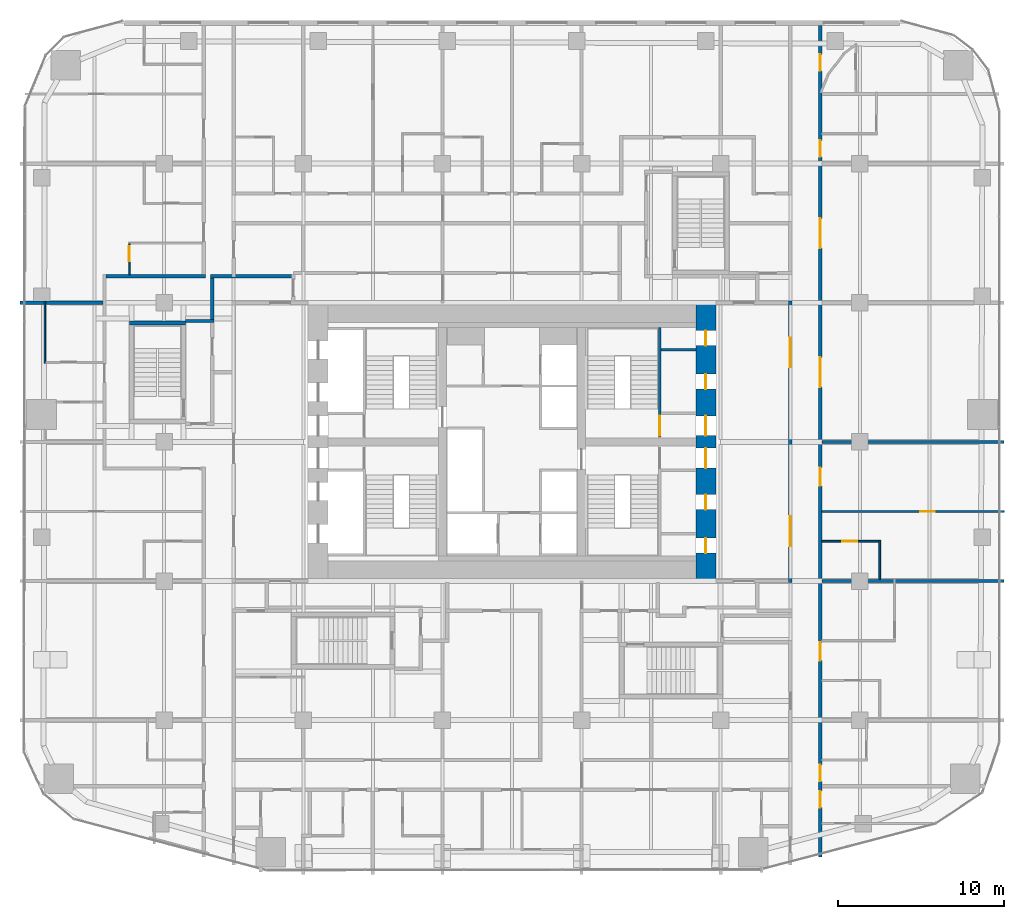
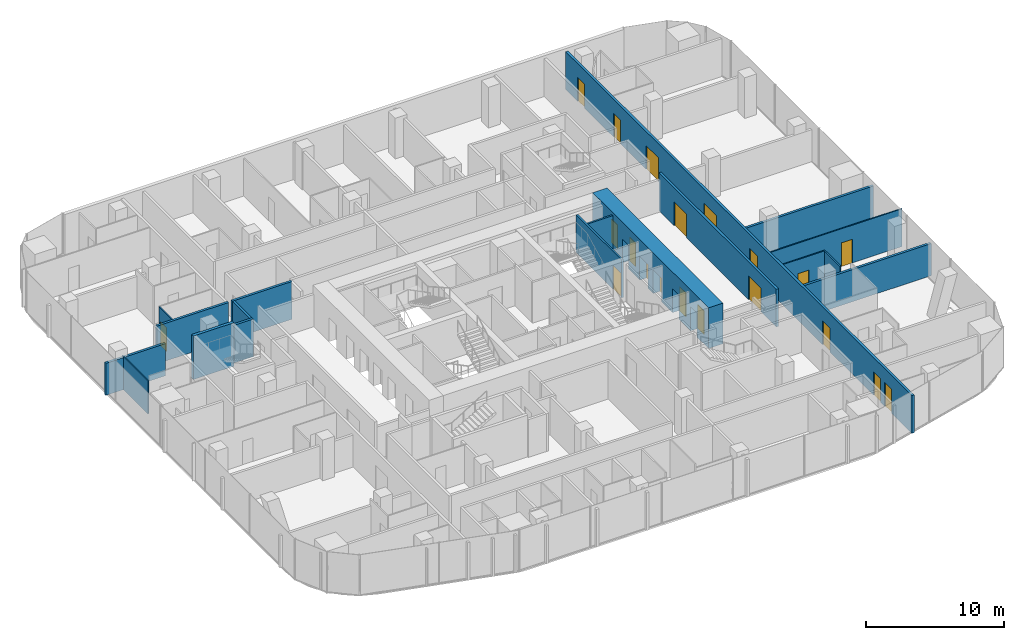
# One storey, part 21 of 27: 20 doors, 18 walls, 20 openings.
"""IFC4 building model written with IfcOpenShell, lengths in metres."""

from ifc_helpers import new_model, si_unit, direction, frame, frame_2d, origin, place, context, subcontext, project, spatial, rectangle, extrude, material, layer, layer_set, type_object, element, fill, save


model = new_model("IFC4")

# Units and contexts
model_context = context("Model", 3, precision=1e-05, world=origin(), true_north=direction((0.0, 1.0)))
body_context = subcontext(model_context, "Body", "Model", "MODEL_VIEW")
ifc_project = project(units=[si_unit("LENGTHUNIT", "METRE"), si_unit("AREAUNIT", "SQUARE_METRE"), si_unit("VOLUMEUNIT", "CUBIC_METRE"), si_unit("PLANEANGLEUNIT", "RADIAN"), si_unit("MASSUNIT", "GRAM", prefix="KILO")], contexts=[model_context])

# Site, building, storey
site_placement = place(None, origin())
site = spatial("IfcSite", under=ifc_project, at=site_placement, CompositionType="ELEMENT")
building_placement = place(site_placement, origin())
building = spatial("IfcBuilding", under=site, at=building_placement, Name="Marenta Gate Hotel Tower", CompositionType="ELEMENT")
storey_placement = place(building_placement, frame((0.0, 0.0, 36.5)))
storey = spatial("IfcBuildingStorey", under=building, at=storey_placement, Name="L06", CompositionType="ELEMENT", Elevation=36.5)

# Wall, openings, doors
ifc_material_1 = material(Name="Concrete blockwork", Category="masonry")
ifc_layer_1 = layer(ifc_material_1, 0.199951171875)
ifc_layer_set_1 = layer_set([ifc_layer_1], Name="Concrete blockwork")
wall_type_1 = type_object("IfcWallType", Name="Core boundary wall 200 REI 180", PredefinedType="PARTITIONING", material=ifc_layer_set_1)
wall_1_placement = place(storey_placement, frame((16.800048828125, -0.10009765625, 0.0), z_axis=(0.0, 0.0, 1.0), x_axis=(0.0, 1.0, 0.0)))
wall_1 = element("IfcWall", 1, at=wall_1_placement, inside=storey, type_object=wall_type_1, Name="L06-CP-BW-E", PredefinedType="PARTITIONING", context=body_context, shape_type="SweptSolid", body=[
    extrude(rectangle(XDim=17.0, YDim=0.199951171875, at=frame_2d((8.5, 0.0))), origin(), (0.0, 0.0, 1.0), 3.340087890625),
])
opening_1_placement = place(wall_1_placement, frame((2.199951171875, 0.0, 0.0)))
opening_1 = element("IfcOpeningElement", 2, at=opening_1_placement, cuts=wall_1, Name="Opening ED-Ea-B", PredefinedType="OPENING", context=body_context, shape_type="SweptSolid", body=[
    extrude(rectangle(XDim=1.800048828125, YDim=2.10009765625, at=frame_2d((0.89990234375, 1.050048828125))), frame((0.0, 0.10009765625, 0.0), z_axis=(0.0, -1.0, 0.0), x_axis=(1.0, 0.0, 0.0)), (0.0, 0.0, 1.0), 0.199951171875),
])
opening_2_placement = place(wall_1_placement, frame((13.0, 0.0, 0.0)))
opening_2 = element("IfcOpeningElement", 3, at=opening_2_placement, cuts=wall_1, Name="Opening ED-Eb-B", PredefinedType="OPENING", context=body_context, shape_type="SweptSolid", body=[
    extrude(rectangle(XDim=1.800048828125, YDim=2.10009765625, at=frame_2d((0.89990234375, 1.050048828125))), frame((0.0, 0.10009765625, 0.0), z_axis=(0.0, -1.0, 0.0), x_axis=(1.0, 0.0, 0.0)), (0.0, 0.0, 1.0), 0.199951171875),
])
ifc_material_2 = material(Name="Steel", Category="steel")
door_type_1 = type_object("IfcDoorType", Name="Core lobby entrance door 1800x2100 EI 60", OperationType="DOUBLE_DOOR_SINGLE_SWING", PredefinedType="DOOR", material=ifc_material_2)
door_1_placement = place(opening_1_placement, origin())
door_1 = element("IfcDoor", 4, at=door_1_placement, inside=storey, type_object=door_type_1, Name="ED-Ea-B", OperationType="DOUBLE_DOOR_SINGLE_SWING", OverallHeight=2.10009765625, OverallWidth=1.800048828125, PredefinedType="DOOR", context=body_context, shape_type="SweptSolid", body=[
    extrude(rectangle(XDim=1.800048828125, YDim=2.10009765625, at=frame_2d((0.89990234375, 1.050048828125))), frame((0.0, 0.02490234375, 0.0), z_axis=(0.0, -1.0, 0.0), x_axis=(1.0, 0.0, 0.0)), (0.0, 0.0, 1.0), 0.050048828125),
])
fill(opening_1, door_1)
door_2_placement = place(opening_2_placement, origin())
door_2 = element("IfcDoor", 5, at=door_2_placement, inside=storey, type_object=door_type_1, Name="ED-Eb-B", OperationType="DOUBLE_DOOR_SINGLE_SWING", OverallHeight=2.10009765625, OverallWidth=1.800048828125, PredefinedType="DOOR", context=body_context, shape_type="SweptSolid", body=[
    extrude(rectangle(XDim=1.800048828125, YDim=2.10009765625, at=frame_2d((0.89990234375, 1.050048828125))), frame((0.0, 0.02490234375, 0.0), z_axis=(0.0, -1.0, 0.0), x_axis=(1.0, 0.0, 0.0)), (0.0, 0.0, 1.0), 0.050048828125),
])
fill(opening_2, door_2)

# Wall
ifc_material_3 = material(Name="Concrete blockwork", Category="masonry")
ifc_layer_2 = layer(ifc_material_3, 0.14990234375)
ifc_layer_set_2 = layer_set([ifc_layer_2], Name="Concrete blockwork")
wall_type_2 = type_object("IfcWallType", Name="Core room partition 150 REI 180", PredefinedType="PARTITIONING", material=ifc_layer_set_2)
wall_2_placement = place(storey_placement, frame((9.0, 13.949951171875, 0.0), z_axis=(0.0, 0.0, 1.0), x_axis=(1.0, 0.0, 0.0)))
element("IfcWall", 6, at=wall_2_placement, inside=storey, type_object=wall_type_2, Name="L06-CP-RW-EN-1", PredefinedType="PARTITIONING", context=body_context, shape_type="SweptSolid", body=[
    extrude(rectangle(XDim=2.10009765625, YDim=0.14990234375, at=frame_2d((1.050048828125, 0.0))), origin(), (0.0, 0.0, 1.0), 3.340087890625),
])

# Wall, opening, door
ifc_material_4 = material(Name="Concrete C40", Category="concrete")
ifc_layer_3 = layer(ifc_material_4, 0.14990234375)
ifc_layer_set_3 = layer_set([ifc_layer_3], Name="Concrete C40")
wall_type_3 = type_object("IfcWallType", Name="Core stair enclosure wall 150 REI 180", PredefinedType="SHEAR", material=ifc_layer_set_3)
wall_3_placement = place(storey_placement, frame((8.925048828125, 8.699951171875, 0.0), z_axis=(0.0, 0.0, 1.0), x_axis=(0.0, 1.0, 0.0)))
wall_3 = element("IfcWall", 7, at=wall_3_placement, inside=storey, type_object=wall_type_3, Name="L06-SHF-SW-EN-3", PredefinedType="SHEAR", context=body_context, shape_type="SweptSolid", body=[
    extrude(rectangle(XDim=6.60009765625, YDim=0.14990234375, at=frame_2d((3.300048828125, 0.0))), origin(), (0.0, 0.0, 1.0), 3.340087890625),
])
opening_3_placement = place(wall_3_placement, frame((0.074951171875, 0.0, 0.0)))
opening_3 = element("IfcOpeningElement", 8, at=opening_3_placement, cuts=wall_3, Name="Opening SD-EN", PredefinedType="OPENING", context=body_context, shape_type="SweptSolid", body=[
    extrude(rectangle(XDim=1.199951171875, YDim=2.10009765625, at=frame_2d((0.60009765625, 1.050048828125))), frame((0.0, 0.074951171875, 0.0), z_axis=(0.0, -1.0, 0.0), x_axis=(1.0, 0.0, 0.0)), (0.0, 0.0, 1.0), 0.14990234375),
])
ifc_material_5 = material(Name="Steel", Category="steel")
door_type_2 = type_object("IfcDoorType", Name="Core stair door 1200x2100 FD60", OperationType="SINGLE_SWING_LEFT", PredefinedType="DOOR", material=ifc_material_5)
door_3_placement = place(opening_3_placement, origin())
door_3 = element("IfcDoor", 9, at=door_3_placement, inside=storey, type_object=door_type_2, Name="SD-EN", OperationType="SINGLE_SWING_LEFT", OverallHeight=2.10009765625, OverallWidth=1.199951171875, PredefinedType="DOOR", context=body_context, shape_type="SweptSolid", body=[
    extrude(rectangle(XDim=1.199951171875, YDim=2.10009765625, at=frame_2d((0.60009765625, 1.050048828125))), frame((0.0, 0.02490234375, 0.0), z_axis=(0.0, -1.0, 0.0), x_axis=(1.0, 0.0, 0.0)), (0.0, 0.0, 1.0), 0.050048828125),
])
fill(opening_3, door_3)

# Wall, openings, doors
ifc_material_6 = material(Name="Concrete C80", Category="concrete")
ifc_layer_4 = layer(ifc_material_6, 1.199951171875)
ifc_layer_set_4 = layer_set([ifc_layer_4], Name="Concrete C80")
wall_type_4 = type_object("IfcWallType", Name="Core wall 1200 C80", PredefinedType="SHEAR", material=ifc_layer_set_4)
wall_4_placement = place(storey_placement, frame((11.699951171875, 0.0, 0.0), z_axis=(0.0, 0.0, 1.0), x_axis=(0.0, 1.0, 0.0)))
wall_4 = element("IfcWall", 10, at=wall_4_placement, inside=storey, type_object=wall_type_4, Name="L06-CORE-E", PredefinedType="SHEAR", context=body_context, shape_type="SweptSolid", body=[
    extrude(rectangle(XDim=16.800048828125, YDim=1.199951171875, at=frame_2d((8.39990234375, 0.0))), origin(), (0.0, 0.0, 1.0), 3.60009765625),
])
opening_4_placement = place(wall_4_placement, frame((1.6875, 0.0, 0.0)))
opening_4 = element("IfcOpeningElement", 11, at=opening_4_placement, cuts=wall_4, Name="Opening RD-ES-1", PredefinedType="OPENING", context=body_context, shape_type="SweptSolid", body=[
    extrude(rectangle(XDim=0.89990234375, YDim=2.10009765625, at=frame_2d((0.449951171875, 1.050048828125))), frame((0.0, 0.60009765625, 0.0), z_axis=(0.0, -1.0, 0.0), x_axis=(1.0, 0.0, 0.0)), (0.0, 0.0, 1.0), 1.199951171875),
])
opening_5_placement = place(wall_4_placement, frame((4.3125, 0.0, 0.0)))
opening_5 = element("IfcOpeningElement", 12, at=opening_5_placement, cuts=wall_4, Name="Opening RD-ES-2", PredefinedType="OPENING", context=body_context, shape_type="SweptSolid", body=[
    extrude(rectangle(XDim=0.89990234375, YDim=2.10009765625, at=frame_2d((0.449951171875, 1.050048828125))), frame((0.0, 0.60009765625, 0.0), z_axis=(0.0, -1.0, 0.0), x_axis=(1.0, 0.0, 0.0)), (0.0, 0.0, 1.0), 1.199951171875),
])
opening_6_placement = place(wall_4_placement, frame((6.824951171875, 0.0, 0.0)))
opening_6 = element("IfcOpeningElement", 13, at=opening_6_placement, cuts=wall_4, Name="Opening PD-ES", PredefinedType="OPENING", context=body_context, shape_type="SweptSolid", body=[
    extrude(rectangle(XDim=1.199951171875, YDim=2.10009765625, at=frame_2d((0.60009765625, 1.050048828125))), frame((0.0, 0.60009765625, 0.0), z_axis=(0.0, -1.0, 0.0), x_axis=(1.0, 0.0, 0.0)), (0.0, 0.0, 1.0), 1.199951171875),
])
opening_7_placement = place(wall_4_placement, frame((14.21240234375, 0.0, 0.0)))
opening_7 = element("IfcOpeningElement", 14, at=opening_7_placement, cuts=wall_4, Name="Opening RD-EN-1", PredefinedType="OPENING", context=body_context, shape_type="SweptSolid", body=[
    extrude(rectangle(XDim=0.89990234375, YDim=2.10009765625, at=frame_2d((0.449951171875, 1.050048828125))), frame((0.0, 0.60009765625, 0.0), z_axis=(0.0, -1.0, 0.0), x_axis=(1.0, 0.0, 0.0)), (0.0, 0.0, 1.0), 1.199951171875),
])
opening_8_placement = place(wall_4_placement, frame((11.58740234375, 0.0, 0.0)))
opening_8 = element("IfcOpeningElement", 15, at=opening_8_placement, cuts=wall_4, Name="Opening RD-EN-2", PredefinedType="OPENING", context=body_context, shape_type="SweptSolid", body=[
    extrude(rectangle(XDim=0.89990234375, YDim=2.10009765625, at=frame_2d((0.449951171875, 1.050048828125))), frame((0.0, 0.60009765625, 0.0), z_axis=(0.0, -1.0, 0.0), x_axis=(1.0, 0.0, 0.0)), (0.0, 0.0, 1.0), 1.199951171875),
])
opening_9_placement = place(wall_4_placement, frame((8.77490234375, 0.0, 0.0)))
opening_9 = element("IfcOpeningElement", 16, at=opening_9_placement, cuts=wall_4, Name="Opening PD-EN", PredefinedType="OPENING", context=body_context, shape_type="SweptSolid", body=[
    extrude(rectangle(XDim=1.199951171875, YDim=2.10009765625, at=frame_2d((0.60009765625, 1.050048828125))), frame((0.0, 0.60009765625, 0.0), z_axis=(0.0, -1.0, 0.0), x_axis=(1.0, 0.0, 0.0)), (0.0, 0.0, 1.0), 1.199951171875),
])
ifc_material_7 = material(Name="Steel", Category="steel")
door_type_3 = type_object("IfcDoorType", Name="Core lobby door 1200x2100 FD60", OperationType="SINGLE_SWING_LEFT", PredefinedType="DOOR", material=ifc_material_7)
door_4_placement = place(opening_6_placement, origin())
door_4 = element("IfcDoor", 17, at=door_4_placement, inside=storey, type_object=door_type_3, Name="PD-ES", OperationType="SINGLE_SWING_LEFT", OverallHeight=2.10009765625, OverallWidth=1.199951171875, PredefinedType="DOOR", context=body_context, shape_type="SweptSolid", body=[
    extrude(rectangle(XDim=1.199951171875, YDim=2.10009765625, at=frame_2d((0.60009765625, 1.050048828125))), frame((0.0, 0.02490234375, 0.0), z_axis=(0.0, -1.0, 0.0), x_axis=(1.0, 0.0, 0.0)), (0.0, 0.0, 1.0), 0.050048828125),
])
fill(opening_6, door_4)
door_5_placement = place(opening_9_placement, origin())
door_5 = element("IfcDoor", 18, at=door_5_placement, inside=storey, type_object=door_type_3, Name="PD-EN", OperationType="SINGLE_SWING_LEFT", OverallHeight=2.10009765625, OverallWidth=1.199951171875, PredefinedType="DOOR", context=body_context, shape_type="SweptSolid", body=[
    extrude(rectangle(XDim=1.199951171875, YDim=2.10009765625, at=frame_2d((0.60009765625, 1.050048828125))), frame((0.0, 0.02490234375, 0.0), z_axis=(0.0, -1.0, 0.0), x_axis=(1.0, 0.0, 0.0)), (0.0, 0.0, 1.0), 0.050048828125),
])
fill(opening_9, door_5)
ifc_material_8 = material(Name="Steel", Category="steel")
door_type_4 = type_object("IfcDoorType", Name="Core service room door 900x2100 FD30S", OperationType="SINGLE_SWING_LEFT", PredefinedType="DOOR", material=ifc_material_8)
door_6_placement = place(opening_4_placement, origin())
door_6 = element("IfcDoor", 19, at=door_6_placement, inside=storey, type_object=door_type_4, Name="RD-ES-1", OperationType="SINGLE_SWING_LEFT", OverallHeight=2.10009765625, OverallWidth=0.89990234375, PredefinedType="DOOR", context=body_context, shape_type="SweptSolid", body=[
    extrude(rectangle(XDim=0.89990234375, YDim=2.10009765625, at=frame_2d((0.449951171875, 1.050048828125))), frame((0.0, 0.02490234375, 0.0), z_axis=(0.0, -1.0, 0.0), x_axis=(1.0, 0.0, 0.0)), (0.0, 0.0, 1.0), 0.050048828125),
])
fill(opening_4, door_6)
door_7_placement = place(opening_5_placement, origin())
door_7 = element("IfcDoor", 20, at=door_7_placement, inside=storey, type_object=door_type_4, Name="RD-ES-2", OperationType="SINGLE_SWING_LEFT", OverallHeight=2.10009765625, OverallWidth=0.89990234375, PredefinedType="DOOR", context=body_context, shape_type="SweptSolid", body=[
    extrude(rectangle(XDim=0.89990234375, YDim=2.10009765625, at=frame_2d((0.449951171875, 1.050048828125))), frame((0.0, 0.02490234375, 0.0), z_axis=(0.0, -1.0, 0.0), x_axis=(1.0, 0.0, 0.0)), (0.0, 0.0, 1.0), 0.050048828125),
])
fill(opening_5, door_7)
door_8_placement = place(opening_7_placement, origin())
door_8 = element("IfcDoor", 21, at=door_8_placement, inside=storey, type_object=door_type_4, Name="RD-EN-1", OperationType="SINGLE_SWING_LEFT", OverallHeight=2.10009765625, OverallWidth=0.89990234375, PredefinedType="DOOR", context=body_context, shape_type="SweptSolid", body=[
    extrude(rectangle(XDim=0.89990234375, YDim=2.10009765625, at=frame_2d((0.449951171875, 1.050048828125))), frame((0.0, 0.02490234375, 0.0), z_axis=(0.0, -1.0, 0.0), x_axis=(1.0, 0.0, 0.0)), (0.0, 0.0, 1.0), 0.050048828125),
])
fill(opening_7, door_8)
door_9_placement = place(opening_8_placement, origin())
door_9 = element("IfcDoor", 22, at=door_9_placement, inside=storey, type_object=door_type_4, Name="RD-EN-2", OperationType="SINGLE_SWING_LEFT", OverallHeight=2.10009765625, OverallWidth=0.89990234375, PredefinedType="DOOR", context=body_context, shape_type="SweptSolid", body=[
    extrude(rectangle(XDim=0.89990234375, YDim=2.10009765625, at=frame_2d((0.449951171875, 1.050048828125))), frame((0.0, 0.02490234375, 0.0), z_axis=(0.0, -1.0, 0.0), x_axis=(1.0, 0.0, 0.0)), (0.0, 0.0, 1.0), 0.050048828125),
])
fill(opening_8, door_9)

# Wall
ifc_material_9 = material(Name="Concrete C40", Category="concrete")
ifc_layer_5 = layer(ifc_material_9, 0.25)
ifc_layer_set_5 = layer_set([ifc_layer_5], Name="Concrete C40")
wall_type_5 = type_object("IfcWallType", Name="Remote stair enclosure wall 250 REI 180", PredefinedType="SHEAR", material=ifc_layer_set_5)
wall_5_placement = place(storey_placement, frame((-23.10009765625, 15.574951171875, -0.14990234375), z_axis=(0.0, 0.0, 1.0), x_axis=(1.0, 0.0, 0.0)))
element("IfcWall", 23, at=wall_5_placement, inside=storey, type_object=wall_type_5, Name="L06-RS-Z1-3-W2", PredefinedType="SHEAR", context=body_context, shape_type="SweptSolid", body=[
    extrude(rectangle(XDim=3.400146484375, YDim=0.25, at=frame_2d((1.7001953125, 0.0))), origin(), (0.0, 0.0, 1.0), 3.849853515625),
])

# Wall, openings, doors
ifc_material_10 = material(Name="Gypsum board on steel stud", Category="steel")
ifc_layer_6 = layer(ifc_material_10, 0.199951171875)
ifc_layer_set_6 = layer_set([ifc_layer_6], Name="Gypsum board on steel stud")
wall_type_6 = type_object("IfcWallType", Name="Room corridor wall 200 EI 60", PredefinedType="PARTITIONING", material=ifc_layer_set_6)
wall_6_placement = place(storey_placement, frame((18.60009765625, -16.6650390625, 0.0), z_axis=(0.0, 0.0, 1.0), x_axis=(0.0, 1.0, 0.0)))
wall_6 = element("IfcWall", 24, at=wall_6_placement, inside=storey, type_object=wall_type_6, Name="L06-PTN-W008", PredefinedType="PARTITIONING", context=body_context, shape_type="SweptSolid", body=[
    extrude(rectangle(XDim=50.205078125, YDim=0.199951171875, at=frame_2d((25.1025390625, 0.0))), origin(), (0.0, 0.0, 1.0), 3.340087890625),
])
opening_10_placement = place(wall_6_placement, frame((2.990966796875, 0.0, 0.0)))
opening_10 = element("IfcOpeningElement", 25, at=opening_10_placement, cuts=wall_6, Name="Opening G01-09", PredefinedType="OPENING", context=body_context, shape_type="SweptSolid", body=[
    extrude(rectangle(XDim=1.0, YDim=2.10009765625, at=frame_2d((0.5, 1.050048828125))), frame((0.0, 0.10009765625, 0.0), z_axis=(0.0, -1.0, 0.0), x_axis=(1.0, 0.0, 0.0)), (0.0, 0.0, 1.0), 0.199951171875),
])
opening_11_placement = place(wall_6_placement, frame((4.573974609375, 0.0, 0.0)))
opening_11 = element("IfcOpeningElement", 26, at=opening_11_placement, cuts=wall_6, Name="Opening G01-11", PredefinedType="OPENING", context=body_context, shape_type="SweptSolid", body=[
    extrude(rectangle(XDim=1.0, YDim=2.10009765625, at=frame_2d((0.5, 1.050048828125))), frame((0.0, 0.10009765625, 0.0), z_axis=(0.0, -1.0, 0.0), x_axis=(1.0, 0.0, 0.0)), (0.0, 0.0, 1.0), 0.199951171875),
])
opening_12_placement = place(wall_6_placement, frame((11.864990234375, 0.0, 0.0)))
opening_12 = element("IfcOpeningElement", 27, at=opening_12_placement, cuts=wall_6, Name="Opening G01-13", PredefinedType="OPENING", context=body_context, shape_type="SweptSolid", body=[
    extrude(rectangle(XDim=1.10009765625, YDim=2.10009765625, at=frame_2d((0.550048828125, 1.050048828125))), frame((0.0, 0.10009765625, 0.0), z_axis=(0.0, -1.0, 0.0), x_axis=(1.0, 0.0, 0.0)), (0.0, 0.0, 1.0), 0.199951171875),
])
opening_13_placement = place(wall_6_placement, frame((22.4150390625, 0.0, 0.0)))
opening_13 = element("IfcOpeningElement", 28, at=opening_13_placement, cuts=wall_6, Name="Opening G01-16", PredefinedType="OPENING", context=body_context, shape_type="SweptSolid", body=[
    extrude(rectangle(XDim=1.10009765625, YDim=2.10009765625, at=frame_2d((0.550048828125, 1.050048828125))), frame((0.0, 0.10009765625, 0.0), z_axis=(0.0, -1.0, 0.0), x_axis=(1.0, 0.0, 0.0)), (0.0, 0.0, 1.0), 0.199951171875),
])
opening_14_placement = place(wall_6_placement, frame((28.364990234375, 0.0, 0.0)))
opening_14 = element("IfcOpeningElement", 29, at=opening_14_placement, cuts=wall_6, Name="Opening G01-19", PredefinedType="OPENING", context=body_context, shape_type="SweptSolid", body=[
    extrude(rectangle(XDim=1.800048828125, YDim=2.10009765625, at=frame_2d((0.89990234375, 1.050048828125))), frame((0.0, 0.10009765625, 0.0), z_axis=(0.0, -1.0, 0.0), x_axis=(1.0, 0.0, 0.0)), (0.0, 0.0, 1.0), 0.199951171875),
])
opening_15_placement = place(wall_6_placement, frame((36.764892578125, 0.0, 0.0)))
opening_15 = element("IfcOpeningElement", 30, at=opening_15_placement, cuts=wall_6, Name="Opening G01-20", PredefinedType="OPENING", context=body_context, shape_type="SweptSolid", body=[
    extrude(rectangle(XDim=1.800048828125, YDim=2.10009765625, at=frame_2d((0.89990234375, 1.050048828125))), frame((0.0, 0.10009765625, 0.0), z_axis=(0.0, -1.0, 0.0), x_axis=(1.0, 0.0, 0.0)), (0.0, 0.0, 1.0), 0.199951171875),
])
opening_16_placement = place(wall_6_placement, frame((42.264892578125, 0.0, 0.0)))
opening_16 = element("IfcOpeningElement", 31, at=opening_16_placement, cuts=wall_6, Name="Opening G01-21", PredefinedType="OPENING", context=body_context, shape_type="SweptSolid", body=[
    extrude(rectangle(XDim=1.0, YDim=2.10009765625, at=frame_2d((0.5, 1.050048828125))), frame((0.0, 0.10009765625, 0.0), z_axis=(0.0, -1.0, 0.0), x_axis=(1.0, 0.0, 0.0)), (0.0, 0.0, 1.0), 0.199951171875),
])
opening_17_placement = place(wall_6_placement, frame((47.465087890625, 0.0, 0.0)))
opening_17 = element("IfcOpeningElement", 32, at=opening_17_placement, cuts=wall_6, Name="Opening G01-23", PredefinedType="OPENING", context=body_context, shape_type="SweptSolid", body=[
    extrude(rectangle(XDim=1.0, YDim=2.10009765625, at=frame_2d((0.5, 1.050048828125))), frame((0.0, 0.10009765625, 0.0), z_axis=(0.0, -1.0, 0.0), x_axis=(1.0, 0.0, 0.0)), (0.0, 0.0, 1.0), 0.199951171875),
])
ifc_material_11 = material(Name="Timber door leaf", Category="wood")
door_type_5 = type_object("IfcDoorType", Name="Guest room door 1000x2100 EI 30", OperationType="NOTDEFINED", PredefinedType="DOOR", material=ifc_material_11)
door_10_placement = place(opening_10_placement, origin())
door_10 = element("IfcDoor", 33, at=door_10_placement, inside=storey, type_object=door_type_5, Name="L06-PD-D009", OperationType="SINGLE_SWING_LEFT", OverallHeight=2.10009765625, OverallWidth=1.0, PredefinedType="DOOR", context=body_context, shape_type="SweptSolid", body=[
    extrude(rectangle(XDim=1.0, YDim=2.10009765625, at=frame_2d((0.5, 1.050048828125))), frame((0.0, 0.02490234375, 0.0), z_axis=(0.0, -1.0, 0.0), x_axis=(1.0, 0.0, 0.0)), (0.0, 0.0, 1.0), 0.050048828125),
])
fill(opening_10, door_10)
door_11_placement = place(opening_11_placement, origin())
door_11 = element("IfcDoor", 34, at=door_11_placement, inside=storey, type_object=door_type_5, Name="L06-PD-D011", OperationType="SINGLE_SWING_LEFT", OverallHeight=2.10009765625, OverallWidth=1.0, PredefinedType="DOOR", context=body_context, shape_type="SweptSolid", body=[
    extrude(rectangle(XDim=1.0, YDim=2.10009765625, at=frame_2d((0.5, 1.050048828125))), frame((0.0, 0.02490234375, 0.0), z_axis=(0.0, -1.0, 0.0), x_axis=(1.0, 0.0, 0.0)), (0.0, 0.0, 1.0), 0.050048828125),
])
fill(opening_11, door_11)
door_12_placement = place(opening_16_placement, origin())
door_12 = element("IfcDoor", 35, at=door_12_placement, inside=storey, type_object=door_type_5, Name="L06-PD-D021", OperationType="SINGLE_SWING_LEFT", OverallHeight=2.10009765625, OverallWidth=1.0, PredefinedType="DOOR", context=body_context, shape_type="SweptSolid", body=[
    extrude(rectangle(XDim=1.0, YDim=2.10009765625, at=frame_2d((0.5, 1.050048828125))), frame((0.0, 0.02490234375, 0.0), z_axis=(0.0, -1.0, 0.0), x_axis=(1.0, 0.0, 0.0)), (0.0, 0.0, 1.0), 0.050048828125),
])
fill(opening_16, door_12)
door_13_placement = place(opening_17_placement, origin())
door_13 = element("IfcDoor", 36, at=door_13_placement, inside=storey, type_object=door_type_5, Name="L06-PD-D023", OperationType="SINGLE_SWING_LEFT", OverallHeight=2.10009765625, OverallWidth=1.0, PredefinedType="DOOR", context=body_context, shape_type="SweptSolid", body=[
    extrude(rectangle(XDim=1.0, YDim=2.10009765625, at=frame_2d((0.5, 1.050048828125))), frame((0.0, 0.02490234375, 0.0), z_axis=(0.0, -1.0, 0.0), x_axis=(1.0, 0.0, 0.0)), (0.0, 0.0, 1.0), 0.050048828125),
])
fill(opening_17, door_13)
ifc_material_12 = material(Name="Timber door leaf", Category="wood")
door_type_6 = type_object("IfcDoorType", Name="Guest room door 1100x2100 EI 30", OperationType="NOTDEFINED", PredefinedType="DOOR", material=ifc_material_12)
door_14_placement = place(opening_12_placement, origin())
door_14 = element("IfcDoor", 37, at=door_14_placement, inside=storey, type_object=door_type_6, Name="L06-PD-D013", OperationType="SINGLE_SWING_LEFT", OverallHeight=2.10009765625, OverallWidth=1.10009765625, PredefinedType="DOOR", context=body_context, shape_type="SweptSolid", body=[
    extrude(rectangle(XDim=1.10009765625, YDim=2.10009765625, at=frame_2d((0.550048828125, 1.050048828125))), frame((0.0, 0.02490234375, 0.0), z_axis=(0.0, -1.0, 0.0), x_axis=(1.0, 0.0, 0.0)), (0.0, 0.0, 1.0), 0.050048828125),
])
fill(opening_12, door_14)
door_15_placement = place(opening_13_placement, origin())
door_15 = element("IfcDoor", 38, at=door_15_placement, inside=storey, type_object=door_type_6, Name="L06-PD-D016", OperationType="SINGLE_SWING_RIGHT", OverallHeight=2.10009765625, OverallWidth=1.10009765625, PredefinedType="DOOR", context=body_context, shape_type="SweptSolid", body=[
    extrude(rectangle(XDim=1.10009765625, YDim=2.10009765625, at=frame_2d((0.550048828125, 1.050048828125))), frame((0.0, 0.02490234375, 0.0), z_axis=(0.0, -1.0, 0.0), x_axis=(1.0, 0.0, 0.0)), (0.0, 0.0, 1.0), 0.050048828125),
])
fill(opening_13, door_15)
ifc_material_13 = material(Name="Timber door leaf", Category="wood")
door_type_7 = type_object("IfcDoorType", Name="Room amenity door 1800x2100 EI 30", OperationType="DOUBLE_DOOR_SINGLE_SWING", PredefinedType="DOOR", material=ifc_material_13)
door_16_placement = place(opening_14_placement, origin())
door_16 = element("IfcDoor", 39, at=door_16_placement, inside=storey, type_object=door_type_7, Name="L06-PD-D019", OperationType="DOUBLE_DOOR_SINGLE_SWING", OverallHeight=2.10009765625, OverallWidth=1.800048828125, PredefinedType="DOOR", context=body_context, shape_type="SweptSolid", body=[
    extrude(rectangle(XDim=1.800048828125, YDim=2.10009765625, at=frame_2d((0.89990234375, 1.050048828125))), frame((0.0, 0.02490234375, 0.0), z_axis=(0.0, -1.0, 0.0), x_axis=(1.0, 0.0, 0.0)), (0.0, 0.0, 1.0), 0.050048828125),
])
fill(opening_14, door_16)
door_17_placement = place(opening_15_placement, origin())
door_17 = element("IfcDoor", 40, at=door_17_placement, inside=storey, type_object=door_type_7, Name="L06-PD-D020", OperationType="DOUBLE_DOOR_SINGLE_SWING", OverallHeight=2.10009765625, OverallWidth=1.800048828125, PredefinedType="DOOR", context=body_context, shape_type="SweptSolid", body=[
    extrude(rectangle(XDim=1.800048828125, YDim=2.10009765625, at=frame_2d((0.89990234375, 1.050048828125))), frame((0.0, 0.02490234375, 0.0), z_axis=(0.0, -1.0, 0.0), x_axis=(1.0, 0.0, 0.0)), (0.0, 0.0, 1.0), 0.050048828125),
])
fill(opening_15, door_17)

# Walls
wall_7_placement = place(storey_placement, frame((-24.5, 18.39990234375, 0.0), z_axis=(0.0, 0.0, 1.0), x_axis=(1.0, 0.0, 0.0)))
element("IfcWall", 41, at=wall_7_placement, inside=storey, type_object=wall_type_6, Name="L06-PTN-W125", PredefinedType="PARTITIONING", context=body_context, shape_type="SweptSolid", body=[
    extrude(rectangle(XDim=6.0, YDim=0.199951171875, at=frame_2d((3.0, 0.0))), origin(), (0.0, 0.0, 1.0), 3.340087890625),
])
ifc_material_14 = material(Name="Concrete blockwork", Category="masonry")
ifc_layer_7 = layer(ifc_material_14, 0.199951171875)
ifc_layer_set_7 = layer_set([ifc_layer_7], Name="Concrete blockwork")
wall_type_7 = type_object("IfcWallType", Name="Room corridor wall 200 REI 180", PredefinedType="PARTITIONING", material=ifc_layer_set_7)
wall_8_placement = place(storey_placement, frame((-19.699951171875, 15.699951171875, 0.0), z_axis=(0.0, 0.0, 1.0), x_axis=(1.0, 0.0, 0.0)))
element("IfcWall", 42, at=wall_8_placement, inside=storey, type_object=wall_type_7, Name="L06-PTN-W115", PredefinedType="PARTITIONING", context=body_context, shape_type="SweptSolid", body=[
    extrude(rectangle(XDim=1.699951171875, YDim=0.199951171875, at=frame_2d((0.85009765625, 0.0))), origin(), (0.0, 0.0, 1.0), 3.340087890625),
])
wall_9_placement = place(storey_placement, frame((-18.10009765625, 15.800048828125, 0.0), z_axis=(0.0, 0.0, 1.0), x_axis=(0.0, 1.0, 0.0)))
element("IfcWall", 43, at=wall_9_placement, inside=storey, type_object=wall_type_7, Name="L06-PTN-W123", PredefinedType="PARTITIONING", context=body_context, shape_type="SweptSolid", body=[
    extrude(rectangle(XDim=2.5, YDim=0.199951171875, at=frame_2d((1.25, 0.0))), origin(), (0.0, 0.0, 1.0), 3.340087890625),
])
wall_10_placement = place(storey_placement, frame((-18.199951171875, 18.39990234375, 0.0), z_axis=(0.0, 0.0, 1.0), x_axis=(1.0, 0.0, 0.0)))
element("IfcWall", 44, at=wall_10_placement, inside=storey, type_object=wall_type_7, Name="L06-PTN-W126", PredefinedType="PARTITIONING", context=body_context, shape_type="SweptSolid", body=[
    extrude(rectangle(XDim=5.0, YDim=0.199951171875, at=frame_2d((2.5, 0.0))), origin(), (0.0, 0.0, 1.0), 3.340087890625),
])
ifc_material_15 = material(Name="Gypsum board on steel stud", Category="steel")
ifc_layer_8 = layer(ifc_material_15, 0.10009765625)
ifc_layer_set_8 = layer_set([ifc_layer_8], Name="Gypsum board on steel stud")
wall_type_8 = type_object("IfcWallType", Name="Room partition 100", PredefinedType="PARTITIONING", material=ifc_layer_set_8)
wall_11_placement = place(storey_placement, frame((22.199951171875, 0.10009765625, 0.0), z_axis=(0.0, 0.0, 1.0), x_axis=(0.0, 1.0, 0.0)))
element("IfcWall", 45, at=wall_11_placement, inside=storey, type_object=wall_type_8, Name="L06-PTN-W003", PredefinedType="PARTITIONING", context=body_context, shape_type="SweptSolid", body=[
    extrude(rectangle(XDim=2.349853515625, YDim=0.10009765625, at=frame_2d((1.1748046875, 0.0))), origin(), (0.0, 0.0, 1.0), 3.340087890625),
])

# Wall, opening, door
wall_12_placement = place(storey_placement, frame((18.699951171875, 2.39990234375, 0.0), z_axis=(0.0, 0.0, 1.0), x_axis=(1.0, 0.0, 0.0)))
wall_12 = element("IfcWall", 46, at=wall_12_placement, inside=storey, type_object=wall_type_8, Name="L06-PTN-W081", PredefinedType="PARTITIONING", context=body_context, shape_type="SweptSolid", body=[
    extrude(rectangle(XDim=3.449951171875, YDim=0.10009765625, at=frame_2d((1.72509765625, 0.0))), origin(), (0.0, 0.0, 1.0), 3.340087890625),
])
opening_18_placement = place(wall_12_placement, frame((1.25, 0.0, 0.0)))
opening_18 = element("IfcOpeningElement", 47, at=opening_18_placement, cuts=wall_12, Name="Opening G01-18", PredefinedType="OPENING", context=body_context, shape_type="SweptSolid", body=[
    extrude(rectangle(XDim=0.89990234375, YDim=2.10009765625, at=frame_2d((0.449951171875, 1.050048828125))), frame((0.0, 0.050048828125, 0.0), z_axis=(0.0, -1.0, 0.0), x_axis=(1.0, 0.0, 0.0)), (0.0, 0.0, 1.0), 0.10009765625),
])
ifc_material_16 = material(Name="Timber door leaf", Category="wood")
door_type_8 = type_object("IfcDoorType", Name="Guest bathroom door 900x2100", OperationType="NOTDEFINED", PredefinedType="DOOR", material=ifc_material_16)
door_18_placement = place(opening_18_placement, origin())
door_18 = element("IfcDoor", 48, at=door_18_placement, inside=storey, type_object=door_type_8, Name="L06-PD-D018", OperationType="SINGLE_SWING_RIGHT", OverallHeight=2.10009765625, OverallWidth=0.89990234375, PredefinedType="DOOR", context=body_context, shape_type="SweptSolid", body=[
    extrude(rectangle(XDim=0.89990234375, YDim=2.10009765625, at=frame_2d((0.449951171875, 1.050048828125))), frame((0.0, 0.02490234375, 0.0), z_axis=(0.0, -1.0, 0.0), x_axis=(1.0, 0.0, 0.0)), (0.0, 0.0, 1.0), 0.050048828125),
])
fill(opening_18, door_18)

wall_13_placement = place(storey_placement, frame((18.699951171875, 4.199951171875, 0.0), z_axis=(0.0, 0.0, 1.0), x_axis=(1.0, 0.0, 0.0)))
wall_13 = element("IfcWall", 49, at=wall_13_placement, inside=storey, type_object=wall_type_8, Name="L06-PTN-W090", PredefinedType="PARTITIONING", context=body_context, shape_type="SweptSolid", body=[
    extrude(rectangle(XDim=11.0, YDim=0.10009765625, at=frame_2d((5.5, 0.0))), origin(), (0.0, 0.0, 1.0), 3.340087890625),
])
opening_19_placement = place(wall_13_placement, frame((5.929931640625, 0.0, 0.0)))
opening_19 = element("IfcOpeningElement", 50, at=opening_19_placement, cuts=wall_13, Name="Opening G01-17", PredefinedType="OPENING", context=body_context, shape_type="SweptSolid", body=[
    extrude(rectangle(XDim=0.89990234375, YDim=2.10009765625, at=frame_2d((0.449951171875, 1.050048828125))), frame((0.0, 0.050048828125, 0.0), z_axis=(0.0, -1.0, 0.0), x_axis=(1.0, 0.0, 0.0)), (0.0, 0.0, 1.0), 0.10009765625),
])
ifc_material_17 = material(Name="Timber door leaf", Category="wood")
door_type_9 = type_object("IfcDoorType", Name="Room inner door 900x2100", OperationType="NOTDEFINED", PredefinedType="DOOR", material=ifc_material_17)
door_19_placement = place(opening_19_placement, origin())
door_19 = element("IfcDoor", 51, at=door_19_placement, inside=storey, type_object=door_type_9, Name="L06-PD-D017", OperationType="SINGLE_SWING_LEFT", OverallHeight=2.10009765625, OverallWidth=0.89990234375, PredefinedType="DOOR", context=body_context, shape_type="SweptSolid", body=[
    extrude(rectangle(XDim=0.89990234375, YDim=2.10009765625, at=frame_2d((0.449951171875, 1.050048828125))), frame((0.0, 0.02490234375, 0.0), z_axis=(0.0, -1.0, 0.0), x_axis=(1.0, 0.0, 0.0)), (0.0, 0.0, 1.0), 0.050048828125),
])
fill(opening_19, door_19)

wall_14_placement = place(storey_placement, frame((-23.10009765625, 18.5, 0.0), z_axis=(0.0, 0.0, 1.0), x_axis=(0.0, 1.0, 0.0)))
wall_14 = element("IfcWall", 52, at=wall_14_placement, inside=storey, type_object=wall_type_8, Name="L06-PTN-W144", PredefinedType="PARTITIONING", context=body_context, shape_type="SweptSolid", body=[
    extrude(rectangle(XDim=1.85009765625, YDim=0.10009765625, at=frame_2d((0.925048828125, 0.0))), origin(), (0.0, 0.0, 1.0), 3.340087890625),
])
opening_20_placement = place(wall_14_placement, frame((0.800048828125, 0.0, 0.0)))
opening_20 = element("IfcOpeningElement", 53, at=opening_20_placement, cuts=wall_14, Name="Opening G01-55", PredefinedType="OPENING", context=body_context, shape_type="SweptSolid", body=[
    extrude(rectangle(XDim=0.89990234375, YDim=2.10009765625, at=frame_2d((0.449951171875, 1.050048828125))), frame((0.0, 0.050048828125, 0.0), z_axis=(0.0, -1.0, 0.0), x_axis=(1.0, 0.0, 0.0)), (0.0, 0.0, 1.0), 0.10009765625),
])
door_20_placement = place(opening_20_placement, origin())
door_20 = element("IfcDoor", 54, at=door_20_placement, inside=storey, type_object=door_type_8, Name="L06-PD-D055", OperationType="SINGLE_SWING_LEFT", OverallHeight=2.10009765625, OverallWidth=0.89990234375, PredefinedType="DOOR", context=body_context, shape_type="SweptSolid", body=[
    extrude(rectangle(XDim=0.89990234375, YDim=2.10009765625, at=frame_2d((0.449951171875, 1.050048828125))), frame((0.0, 0.02490234375, 0.0), z_axis=(0.0, -1.0, 0.0), x_axis=(1.0, 0.0, 0.0)), (0.0, 0.0, 1.0), 0.050048828125),
])
fill(opening_20, door_20)

# Walls
wall_15_placement = place(storey_placement, frame((-28.199951171875, 13.14990234375, 0.0), z_axis=(0.0, 0.0, 1.0), x_axis=(0.0, 1.0, 0.0)))
element("IfcWall", 55, at=wall_15_placement, inside=storey, type_object=wall_type_8, Name="L06-PTN-W158", PredefinedType="PARTITIONING", context=body_context, shape_type="SweptSolid", body=[
    extrude(rectangle(XDim=3.75, YDim=0.10009765625, at=frame_2d((1.875, 0.0))), origin(), (0.0, 0.0, 1.0), 2.93994140625),
])
ifc_material_18 = material(Name="Gypsum board on steel stud", Category="steel")
ifc_layer_9 = layer(ifc_material_18, 0.199951171875)
ifc_layer_set_9 = layer_set([ifc_layer_9], Name="Gypsum board on steel stud")
wall_type_9 = type_object("IfcWallType", Name="Room party wall 200 EI 60", PredefinedType="PARTITIONING", material=ifc_layer_set_9)
for number, where, z_axis, x_axis, name in (
    (56, (18.699951171875, 0.0, 0.0), (0.0, 0.0, 1.0), (1.0, 0.0, 0.0), "L06-PTN-W077"),
    (57, (18.699951171875, 8.39990234375, 0.0), (0.0, 0.0, 1.0), (1.0, 0.0, 0.0), "L06-PTN-W098"),
):
    element("IfcWall", number, at=place(storey_placement, frame(where, z_axis=z_axis, x_axis=x_axis)), inside=storey, type_object=wall_type_9, Name=name, PredefinedType="PARTITIONING", context=body_context, shape_type="SweptSolid", body=[
        extrude(rectangle(XDim=11.0, YDim=0.199951171875, at=frame_2d((5.5, 0.0))), origin(), (0.0, 0.0, 1.0), 2.840087890625),
    ])
wall_16_placement = place(storey_placement, frame((-29.699951171875, 16.800048828125, 0.0), z_axis=(0.0, 0.0, 1.0), x_axis=(1.0, 0.0, 0.0)))
element("IfcWall", 58, at=wall_16_placement, inside=storey, type_object=wall_type_9, Name="L06-PTN-W120", PredefinedType="PARTITIONING", context=body_context, shape_type="SweptSolid", body=[
    extrude(rectangle(XDim=5.0, YDim=0.199951171875, at=frame_2d((2.5, 0.0))), origin(), (0.0, 0.0, 1.0), 2.840087890625),
])

save(model, "model.ifc")
